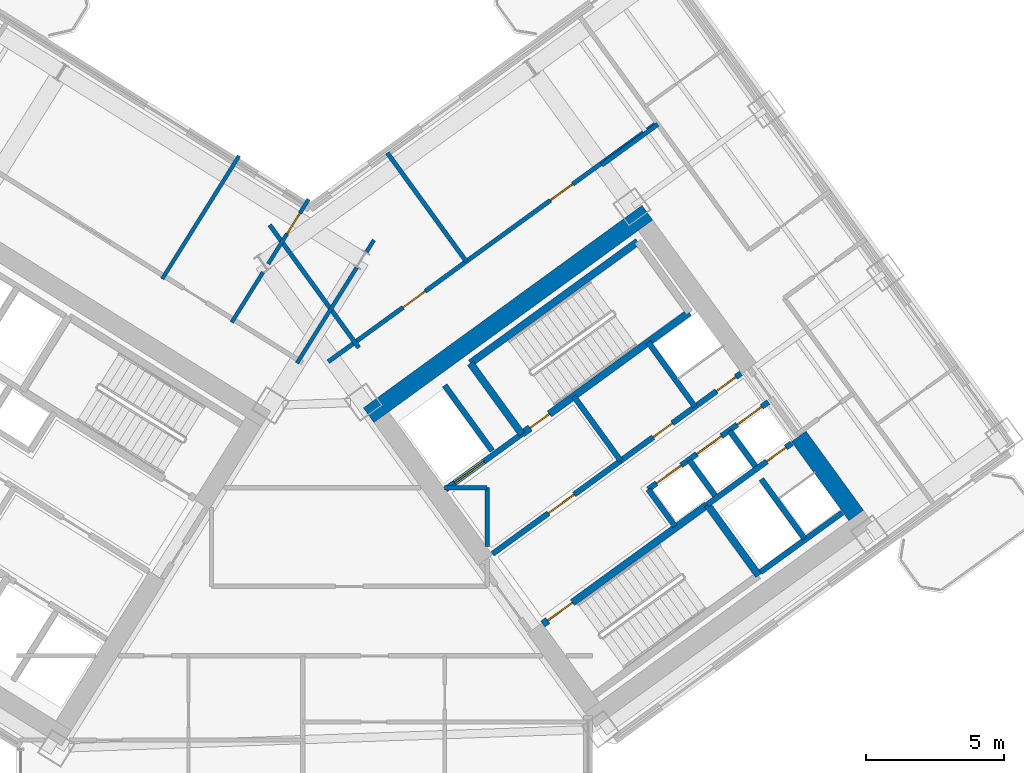
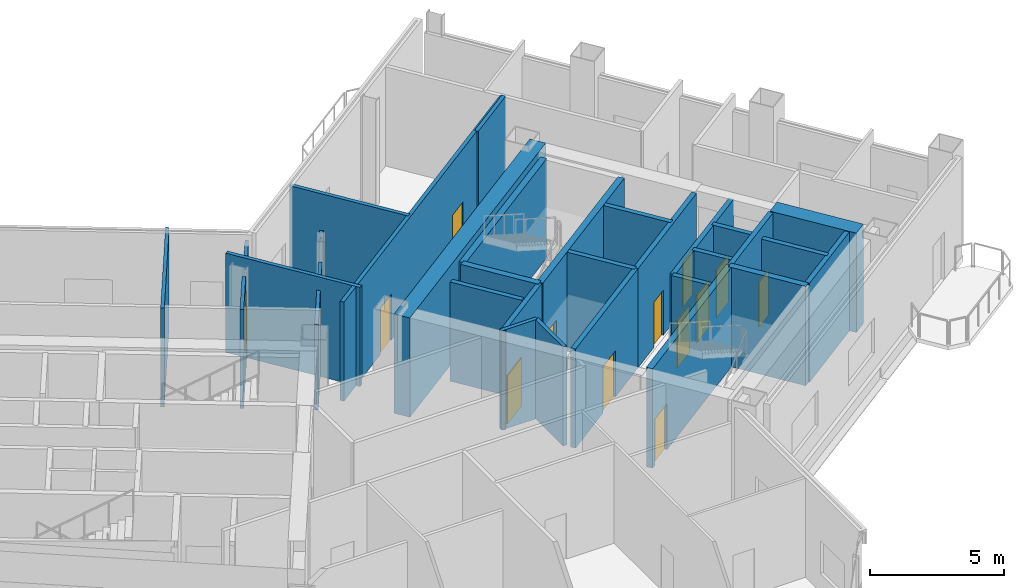
# One storey, part 15 of 22: 31 walls, 13 doors, 13 openings.
"""IFC4 building model written with IfcOpenShell, lengths in metres."""

from ifc_helpers import new_model, si_unit, direction, frame, frame_2d, origin, place, context, subcontext, project, spatial, rectangle, extrude, source, transform, mapped, material, layer, layer_set, type_object, element, fill, save


model = new_model("IFC4")

# Units and contexts
model_context = context("Model", 3, precision=1e-05, world=origin(), true_north=direction((0.0, 1.0)))
body_context = subcontext(model_context, "Body", "Model", "MODEL_VIEW")
ifc_project = project(units=[si_unit("LENGTHUNIT", "METRE"), si_unit("AREAUNIT", "SQUARE_METRE"), si_unit("VOLUMEUNIT", "CUBIC_METRE"), si_unit("PLANEANGLEUNIT", "RADIAN"), si_unit("MASSUNIT", "GRAM", prefix="KILO")], contexts=[model_context])

# Site, building, storey
site_placement = place(None, origin())
site = spatial("IfcSite", under=ifc_project, at=site_placement, CompositionType="ELEMENT")
building_placement = place(site_placement, origin())
building = spatial("IfcBuilding", under=site, at=building_placement, Name="Tlacorven Tower", CompositionType="ELEMENT")
storey_placement = place(building_placement, frame((0.0, 0.0, 71.699951171875)))
storey = spatial("IfcBuildingStorey", under=building, at=storey_placement, Name="L18", CompositionType="ELEMENT", Elevation=71.699951171875)

# Walls
ifc_material_1 = material(Name="Concrete C60/75", Category="concrete")
ifc_layer_1 = layer(ifc_material_1, 0.64990234375)
ifc_layer_set_1 = layer_set([ifc_layer_1], Name="Concrete C60/75")
wall_type_1 = type_object("IfcWallType", Name="WL-COR-650", PredefinedType="SHEAR", material=ifc_layer_set_1)
wall_1_placement = place(storey_placement, frame((44.32470703125, 24.113037109375, 0.0), z_axis=(0.0, 0.0, 1.0), x_axis=(0.809012664862, 0.58779121131, 0.0)))
element("IfcWall", 1, at=wall_1_placement, inside=storey, type_object=wall_type_1, Name="L18 E core shear wall S2", PredefinedType="SHEAR", context=body_context, shape_type="SweptSolid", body=[
    extrude(rectangle(XDim=12.439697265625, YDim=0.64990234375, at=frame_2d((6.2197265625, 0.0))), origin(), (0.0, 0.0, 1.0), 4.52001953125),
])
wall_2_placement = place(storey_placement, frame((61.9287109375, 20.494384765625, 0.0), z_axis=(0.0, 0.0, 1.0), x_axis=(-0.58782982593, 0.808984607855, 0.0)))
element("IfcWall", 2, at=wall_2_placement, inside=storey, type_object=wall_type_1, Name="L18 E core end wall E2.1", PredefinedType="SHEAR", context=body_context, shape_type="SweptSolid", body=[
    extrude(rectangle(XDim=3.52490234375, YDim=0.64990234375, at=frame_2d((1.762451171875, 0.0))), origin(), (0.0, 0.0, 1.0), 4.52001953125),
])
ifc_material_2 = material(Name="Gypsum plasterboard acoustic partition", Category="gypsum")
ifc_layer_2 = layer(ifc_material_2, 0.159912109375)
ifc_layer_set_2 = layer_set([ifc_layer_2], Name="Gypsum plasterboard acoustic partition")
wall_type_2 = type_object("IfcWallType", Name="WL-DEM-160", PredefinedType="PARTITIONING", material=ifc_layer_set_2)
wall_3_placement = place(storey_placement, frame((48.60009765625, 19.380126953125, 0.0), z_axis=(0.0, 0.0, 1.0), x_axis=(0.0, 1.0, 0.0)))
element("IfcWall", 3, at=wall_3_placement, inside=storey, type_object=wall_type_2, Name="L18 partition 82", PredefinedType="PARTITIONING", context=body_context, shape_type="SweptSolid", body=[
    extrude(rectangle(XDim=2.119873046875, YDim=0.159912109375, at=frame_2d((1.06005859375, 0.0))), origin(), (0.0, 0.0, 1.0), 4.510009765625),
])
wall_4_placement = place(storey_placement, frame((47.059814453125, 21.5, 0.0), z_axis=(0.0, 0.0, 1.0), x_axis=(1.0, 0.0, 0.0)))
element("IfcWall", 4, at=wall_4_placement, inside=storey, type_object=wall_type_2, Name="L18 partition 83", PredefinedType="PARTITIONING", context=body_context, shape_type="SweptSolid", body=[
    extrude(rectangle(XDim=1.540283203125, YDim=0.159912109375, at=frame_2d((0.77001953125, 0.0))), origin(), (0.0, 0.0, 1.0), 4.510009765625),
])
wall_5_placement = place(storey_placement, frame((52.73876953125, 33.143310546875, 0.0), z_axis=(0.0, 0.0, 1.0), x_axis=(0.809000999347, 0.58780726693, 0.0)))
element("IfcWall", 5, at=wall_5_placement, inside=storey, type_object=wall_type_2, Name="L18 partition 96", PredefinedType="PARTITIONING", context=body_context, shape_type="SweptSolid", body=[
    extrude(rectangle(XDim=2.510009765625, YDim=0.159912109375, at=frame_2d((1.2548828125, 0.0))), origin(), (0.0, 0.0, 1.0), 4.510009765625),
])

# Wall, openings, doors
wall_6_placement = place(storey_placement, frame((42.86572265625, 26.04443359375, 0.0), z_axis=(0.0, 0.0, 1.0), x_axis=(0.809020254154, 0.587780765566, 0.0)))
wall_6 = element("IfcWall", 6, at=wall_6_placement, inside=storey, type_object=wall_type_2, Name="L18 partition 104", PredefinedType="PARTITIONING", context=body_context, shape_type="SweptSolid", body=[
    extrude(rectangle(XDim=14.670166015625, YDim=0.159912109375, at=frame_2d((7.3349609375, 0.0))), origin(), (0.0, 0.0, 1.0), 4.510009765625),
])
opening_1_placement = place(wall_6_placement, frame((3.3349609375, 0.0, 0.0)))
opening_1 = element("IfcOpeningElement", 7, at=opening_1_placement, cuts=wall_6, Name="Opening D11", PredefinedType="OPENING", context=body_context, shape_type="SweptSolid", body=[
    extrude(rectangle(XDim=1.0, YDim=2.10009765625, at=frame_2d((0.5, 1.050048828125))), frame((0.0, 0.08984375, 0.0), z_axis=(0.0, -1.0, 0.0), x_axis=(1.0, 0.0, 0.0)), (0.0, 0.0, 1.0), 0.179931640625),
])
opening_2_placement = place(wall_6_placement, frame((9.9150390625, 0.0, 0.0)))
opening_2 = element("IfcOpeningElement", 8, at=opening_2_placement, cuts=wall_6, Name="Opening D11", PredefinedType="OPENING", context=body_context, shape_type="SweptSolid", body=[
    extrude(rectangle(XDim=1.0, YDim=2.10009765625, at=frame_2d((0.5, 1.050048828125))), frame((0.0, 0.08984375, 0.0), z_axis=(0.0, -1.0, 0.0), x_axis=(1.0, 0.0, 0.0)), (0.0, 0.0, 1.0), 0.179931640625),
])
ifc_material_3 = material(Name="Fire-rated steel door assembly", Category="steel")
door_type_1 = type_object("IfcDoorType", Name="DR-FLT-FD60-1000", OperationType="NOTDEFINED", PredefinedType="DOOR", material=ifc_material_3)
shared_shape_1 = source(origin(), body_context, "Body", "SweptSolid", [
    extrude(rectangle(XDim=1.0, YDim=2.10009765625, at=frame_2d((0.5, 1.050048828125))), frame((0.0, 0.02490234375, 0.0), z_axis=(0.0, -1.0, 0.0), x_axis=(1.0, 0.0, 0.0)), (0.0, 0.0, 1.0), 0.050048828125),
])
door_1_placement = place(opening_1_placement, origin())
door_1 = element("IfcDoor", 9, at=door_1_placement, inside=storey, type_object=door_type_1, Name="L18 door 064", OperationType="SINGLE_SWING_LEFT", OverallHeight=2.10009765625, OverallWidth=1.0, PredefinedType="DOOR", context=body_context, shape_type="MappedRepresentation", body=[
    mapped(shared_shape_1, transform((0.0, 0.0, 0.0), scale=1.0)),
])
fill(opening_1, door_1)
door_2_placement = place(opening_2_placement, origin())
door_2 = element("IfcDoor", 10, at=door_2_placement, inside=storey, type_object=door_type_1, Name="L18 door 065", OperationType="SINGLE_SWING_RIGHT", OverallHeight=2.10009765625, OverallWidth=1.0, PredefinedType="DOOR", context=body_context, shape_type="MappedRepresentation", body=[
    mapped(shared_shape_1, transform((0.0, 0.0, 0.0), scale=1.0)),
])
fill(opening_2, door_2)

# Walls
wall_7_placement = place(storey_placement, frame((43.969482421875, 26.549560546875, 0.0), z_axis=(0.0, 0.0, 1.0), x_axis=(-0.587776919386, 0.80902304852, 0.0)))
element("IfcWall", 11, at=wall_7_placement, inside=storey, type_object=wall_type_2, Name="L18 EC West Throat Wall", PredefinedType="PARTITIONING", context=body_context, shape_type="SweptSolid", body=[
    extrude(rectangle(XDim=5.47998046875, YDim=0.159912109375, at=frame_2d((2.739990234375, 0.0))), origin(), (0.0, 0.0, 1.0), 4.510009765625),
])
wall_8_placement = place(storey_placement, frame((47.849365234375, 29.6650390625, 0.0), z_axis=(0.0, 0.0, 1.0), x_axis=(-0.587785532001, 0.809016791155, 0.0)))
element("IfcWall", 12, at=wall_8_placement, inside=storey, type_object=wall_type_2, Name="L18 EC Demising Wall 1", PredefinedType="PARTITIONING", context=body_context, shape_type="SweptSolid", body=[
    extrude(rectangle(XDim=4.85009765625, YDim=0.159912109375, at=frame_2d((2.425048828125, 0.0))), origin(), (0.0, 0.0, 1.0), 4.510009765625),
])

# Wall, opening, door
ifc_material_4 = material(Name="Moisture-resistant gypsum plumbing wall", Category="gypsum")
ifc_layer_3 = layer(ifc_material_4, 0.139892578125)
ifc_layer_set_3 = layer_set([ifc_layer_3], Name="Moisture-resistant gypsum plumbing wall")
wall_type_3 = type_object("IfcWallType", Name="WL-PLM-140", PredefinedType="PLUMBINGWALL", material=ifc_layer_set_3)
wall_9_placement = place(storey_placement, frame((42.156005859375, 31.911865234375, 0.0), z_axis=(0.0, 0.0, 1.0), x_axis=(-0.529943141103, -0.848033175765, 0.0)))
wall_9 = element("IfcWall", 13, at=wall_9_placement, inside=storey, type_object=wall_type_3, Name="L18 partition 75", PredefinedType="PLUMBINGWALL", context=body_context, shape_type="SweptSolid", body=[
    extrude(rectangle(XDim=2.753173828125, YDim=0.139892578125, at=frame_2d((1.37646484375, 0.0))), origin(), (0.0, 0.0, 1.0), 4.005126953125),
])
opening_3_placement = place(wall_9_placement, frame((0.593017578125, 0.0, 0.0)))
opening_3 = element("IfcOpeningElement", 14, at=opening_3_placement, cuts=wall_9, Name="Opening D13", PredefinedType="OPENING", context=body_context, shape_type="SweptSolid", body=[
    extrude(rectangle(XDim=0.8798828125, YDim=2.080078125, at=frame_2d((0.43994140625, 1.0400390625))), frame((0.0, 0.080078125, 0.0), z_axis=(0.0, -1.0, 0.0), x_axis=(1.0, 0.0, 0.0)), (0.0, 0.0, 1.0), 0.159912109375),
])
ifc_material_5 = material(Name="Powder-coated aluminium and timber door", Category="wood")
door_type_2 = type_object("IfcDoorType", Name="DR-INT-WET-0880", OperationType="NOTDEFINED", PredefinedType="DOOR", material=ifc_material_5)
shared_shape_2 = source(origin(), body_context, "Body", "SweptSolid", [
    extrude(rectangle(XDim=0.8798828125, YDim=2.080078125, at=frame_2d((0.43994140625, 1.0400390625))), frame((0.0, 0.02490234375, 0.0), z_axis=(0.0, -1.0, 0.0), x_axis=(1.0, 0.0, 0.0)), (0.0, 0.0, 1.0), 0.050048828125),
])
door_3_placement = place(opening_3_placement, origin())
door_3 = element("IfcDoor", 15, at=door_3_placement, inside=storey, type_object=door_type_2, Name="L18 door 042", OperationType="SINGLE_SWING_RIGHT", OverallHeight=2.080078125, OverallWidth=0.8798828125, PredefinedType="DOOR", context=body_context, shape_type="MappedRepresentation", body=[
    mapped(shared_shape_2, transform((0.0, 0.0, 0.0), scale=1.0)),
])
fill(opening_3, door_3)

# Walls
wall_10_placement = place(storey_placement, frame((40.511962890625, 29.28076171875, 0.0), z_axis=(0.0, 0.0, 1.0), x_axis=(-0.529947607416, -0.848030384712, 0.0)))
element("IfcWall", 16, at=wall_10_placement, inside=storey, type_object=wall_type_3, Name="L18 partition 75", PredefinedType="PLUMBINGWALL", context=body_context, shape_type="SweptSolid", body=[
    extrude(rectangle(XDim=2.1376953125, YDim=0.139892578125, at=frame_2d((1.06884765625, 0.0))), origin(), (0.0, 0.0, 1.0), 4.510009765625),
])
wall_11_placement = place(storey_placement, frame((44.513671875, 30.438720703125, 0.0), z_axis=(0.0, 0.0, 1.0), x_axis=(-0.529824479439, -0.848107316905, 0.0)))
element("IfcWall", 17, at=wall_11_placement, inside=storey, type_object=wall_type_3, Name="L18 partition 76", PredefinedType="PLUMBINGWALL", context=body_context, shape_type="SweptSolid", body=[
    extrude(rectangle(XDim=0.503173828125, YDim=0.139892578125, at=frame_2d((0.25146484375, 0.0))), origin(), (0.0, 0.0, 1.0), 4.510009765625),
])
wall_12_placement = place(storey_placement, frame((43.889892578125, 29.4404296875, 0.0), z_axis=(0.0, 0.0, 1.0), x_axis=(-0.529928721319, -0.84804218664, 0.0)))
element("IfcWall", 18, at=wall_12_placement, inside=storey, type_object=wall_type_3, Name="L18 partition 76", PredefinedType="PLUMBINGWALL", context=body_context, shape_type="SweptSolid", body=[
    extrude(rectangle(XDim=4.06298828125, YDim=0.139892578125, at=frame_2d((2.031494140625, 0.0))), origin(), (0.0, 0.0, 1.0), 3.89501953125),
])
wall_13_placement = place(storey_placement, frame((39.645751953125, 33.48046875, 0.0), z_axis=(0.0, 0.0, 1.0), x_axis=(-0.529923555071, -0.848045414928, 0.0)))
element("IfcWall", 19, at=wall_13_placement, inside=storey, type_object=wall_type_3, Name="L18 partition 77", PredefinedType="PLUMBINGWALL", context=body_context, shape_type="SweptSolid", body=[
    extrude(rectangle(XDim=5.239990234375, YDim=0.139892578125, at=frame_2d((2.6201171875, 0.0))), origin(), (0.0, 0.0, 1.0), 4.510009765625),
])

# Wall, opening, door
ifc_material_6 = material(Name="Concrete C40/50", Category="concrete")
ifc_layer_4 = layer(ifc_material_6, 0.199951171875)
ifc_layer_set_4 = layer_set([ifc_layer_4], Name="Concrete C40/50")
wall_type_4 = type_object("IfcWallType", Name="WL-SHF-200", PredefinedType="STANDARD", material=ifc_layer_set_4)
wall_14_placement = place(storey_placement, frame((47.10595703125, 21.4365234375, 0.0), z_axis=(0.0, 0.0, 1.0), x_axis=(0.809012514015, 0.58779141893, 0.0)))
wall_14 = element("IfcWall", 20, at=wall_14_placement, inside=storey, type_object=wall_type_4, Name="L18 Core E Firefighting Lift Shaft Front Wall", PredefinedType="STANDARD", context=body_context, shape_type="SweptSolid", body=[
    extrude(rectangle(XDim=3.39794921875, YDim=0.199951171875, at=frame_2d((1.698974609375, 0.0))), origin(), (0.0, 0.0, 1.0), 4.510009765625),
])
opening_4_placement = place(wall_14_placement, frame((0.407958984375, 0.0, 0.0)))
opening_4 = element("IfcOpeningElement", 21, at=opening_4_placement, cuts=wall_14, Name="Opening LD03", PredefinedType="OPENING", context=body_context, shape_type="SweptSolid", body=[
    extrude(rectangle(XDim=1.300048828125, YDim=2.199951171875, at=frame_2d((0.64990234375, 1.10009765625))), frame((0.0, 0.10986328125, 0.0), z_axis=(0.0, -1.0, 0.0), x_axis=(1.0, 0.0, 0.0)), (0.0, 0.0, 1.0), 0.219970703125),
])
door_type_3 = type_object("IfcDoorType", Name="DR-LFT-SLID-1300", OperationType="DOUBLE_DOOR_SLIDING", PredefinedType="DOOR", material=ifc_material_3)
shared_shape_3 = source(origin(), body_context, "Body", "SweptSolid", [
    extrude(rectangle(XDim=1.300048828125, YDim=2.199951171875, at=frame_2d((0.64990234375, 1.10009765625))), frame((0.0, 0.02490234375, 0.0), z_axis=(0.0, -1.0, 0.0), x_axis=(1.0, 0.0, 0.0)), (0.0, 0.0, 1.0), 0.050048828125),
])
door_4_placement = place(opening_4_placement, origin())
door_4 = element("IfcDoor", 22, at=door_4_placement, inside=storey, type_object=door_type_3, Name="L18 Lift FFL-E1 Sliding Landing Door", OperationType="DOUBLE_DOOR_SLIDING", OverallHeight=2.199951171875, OverallWidth=1.300048828125, PredefinedType="DOOR", context=body_context, shape_type="MappedRepresentation", body=[
    mapped(shared_shape_3, transform((0.0, 0.0, 0.0), scale=1.0)),
])
fill(opening_4, door_4)

wall_15_placement = place(storey_placement, frame((48.798828125, 19.106689453125, 0.0), z_axis=(0.0, 0.0, 1.0), x_axis=(0.809012959416, 0.587790805897, 0.0)))
wall_15 = element("IfcWall", 23, at=wall_15_placement, inside=storey, type_object=wall_type_4, Name="L18 Core E Smoke Lobby Wall", PredefinedType="STANDARD", context=body_context, shape_type="SweptSolid", body=[
    extrude(rectangle(XDim=5.7177734375, YDim=0.199951171875, at=frame_2d((2.85888671875, 0.0))), origin(), (0.0, 0.0, 1.0), 4.510009765625),
])
opening_5_placement = place(wall_15_placement, frame((2.498046875, 0.0, 0.0)))
opening_5 = element("IfcOpeningElement", 24, at=opening_5_placement, cuts=wall_15, Name="Opening D09", PredefinedType="OPENING", context=body_context, shape_type="SweptSolid", body=[
    extrude(rectangle(XDim=1.14990234375, YDim=2.10009765625, at=frame_2d((0.574951171875, 1.050048828125))), frame((0.0, 0.10986328125, 0.0), z_axis=(0.0, -1.0, 0.0), x_axis=(1.0, 0.0, 0.0)), (0.0, 0.0, 1.0), 0.219970703125),
])
door_type_4 = type_object("IfcDoorType", Name="DR-FFL-FD60-1150", OperationType="NOTDEFINED", PredefinedType="DOOR", material=ifc_material_3)
shared_shape_4 = source(origin(), body_context, "Body", "SweptSolid", [
    extrude(rectangle(XDim=1.14990234375, YDim=2.10009765625, at=frame_2d((0.574951171875, 1.050048828125))), frame((0.0, 0.02490234375, 0.0), z_axis=(0.0, -1.0, 0.0), x_axis=(1.0, 0.0, 0.0)), (0.0, 0.0, 1.0), 0.050048828125),
])
door_5_placement = place(opening_5_placement, origin())
door_5 = element("IfcDoor", 25, at=door_5_placement, inside=storey, type_object=door_type_4, Name="L18 Firefighting Lobby E Fire Door", OperationType="SINGLE_SWING_RIGHT", OverallHeight=2.10009765625, OverallWidth=1.14990234375, PredefinedType="DOOR", context=body_context, shape_type="MappedRepresentation", body=[
    mapped(shared_shape_4, transform((0.0, 0.0, 0.0), scale=1.0)),
])
fill(opening_5, door_5)

wall_16_placement = place(storey_placement, frame((56.552978515625, 20.884033203125, 0.0), z_axis=(0.0, 0.0, 1.0), x_axis=(0.809035789462, 0.587759382205, 0.0)))
wall_16 = element("IfcWall", 26, at=wall_16_placement, inside=storey, type_object=wall_type_4, Name="L18 Core E South Lift Shaft Wall", PredefinedType="STANDARD", context=body_context, shape_type="SweptSolid", body=[
    extrude(rectangle(XDim=3.767822265625, YDim=0.199951171875, at=frame_2d((1.8837890625, 0.0))), origin(), (0.0, 0.0, 1.0), 4.510009765625),
])
opening_6_placement = place(wall_16_placement, frame((2.64990234375, 0.0, 0.0)))
opening_6 = element("IfcOpeningElement", 27, at=opening_6_placement, cuts=wall_16, Name="Opening D19", PredefinedType="OPENING", context=body_context, shape_type="SweptSolid", body=[
    extrude(rectangle(XDim=0.860107421875, YDim=2.050048828125, at=frame_2d((0.43017578125, 1.02490234375))), frame((0.0, 0.10986328125, 0.0), z_axis=(0.0, -1.0, 0.0), x_axis=(1.0, 0.0, 0.0)), (0.0, 0.0, 1.0), 0.219970703125),
])
door_type_5 = type_object("IfcDoorType", Name="DR-RSR-FD60-0860", OperationType="NOTDEFINED", PredefinedType="DOOR", material=ifc_material_3)
shared_shape_5 = source(origin(), body_context, "Body", "SweptSolid", [
    extrude(rectangle(XDim=0.860107421875, YDim=2.050048828125, at=frame_2d((0.43017578125, 1.02490234375))), frame((0.0, 0.02490234375, 0.0), z_axis=(0.0, -1.0, 0.0), x_axis=(1.0, 0.0, 0.0)), (0.0, 0.0, 1.0), 0.050048828125),
])
door_6_placement = place(opening_6_placement, origin())
door_6 = element("IfcDoor", 28, at=door_6_placement, inside=storey, type_object=door_type_5, Name="L18 Smoke Extract Riser Access Door", OperationType="SINGLE_SWING_LEFT", OverallHeight=2.050048828125, OverallWidth=0.860107421875, PredefinedType="DOOR", context=body_context, shape_type="MappedRepresentation", body=[
    mapped(shared_shape_5, transform((0.0, 0.0, 0.0), scale=1.0)),
])
fill(opening_6, door_6)

# Wall, openings, doors
wall_17_placement = place(storey_placement, frame((54.421142578125, 21.436279296875, 0.0), z_axis=(0.0, 0.0, 1.0), x_axis=(0.809013710463, 0.587789772183, 0.0)))
wall_17 = element("IfcWall", 29, at=wall_17_placement, inside=storey, type_object=wall_type_4, Name="L18 partition 36", PredefinedType="STANDARD", context=body_context, shape_type="SweptSolid", body=[
    extrude(rectangle(XDim=5.360107421875, YDim=0.199951171875, at=frame_2d((2.68017578125, 0.0))), origin(), (0.0, 0.0, 1.0), 4.510009765625),
])
opening_7_placement = place(wall_17_placement, frame((0.3701171875, 0.0, 0.0)))
opening_7 = element("IfcOpeningElement", 30, at=opening_7_placement, cuts=wall_17, Name="Opening LD01", PredefinedType="OPENING", context=body_context, shape_type="SweptSolid", body=[
    extrude(rectangle(XDim=1.10009765625, YDim=2.14990234375, at=frame_2d((0.550048828125, 1.074951171875))), frame((0.0, 0.10986328125, 0.0), z_axis=(0.0, -1.0, 0.0), x_axis=(1.0, 0.0, 0.0)), (0.0, 0.0, 1.0), 0.219970703125),
])
opening_8_placement = place(wall_17_placement, frame((2.169921875, 0.0, 0.0)))
opening_8 = element("IfcOpeningElement", 31, at=opening_8_placement, cuts=wall_17, Name="Opening LD01", PredefinedType="OPENING", context=body_context, shape_type="SweptSolid", body=[
    extrude(rectangle(XDim=1.10009765625, YDim=2.14990234375, at=frame_2d((0.550048828125, 1.074951171875))), frame((0.0, 0.10986328125, 0.0), z_axis=(0.0, -1.0, 0.0), x_axis=(1.0, 0.0, 0.0)), (0.0, 0.0, 1.0), 0.219970703125),
])
opening_9_placement = place(wall_17_placement, frame((3.969970703125, 0.0, 0.0)))
opening_9 = element("IfcOpeningElement", 32, at=opening_9_placement, cuts=wall_17, Name="Opening LD01", PredefinedType="OPENING", context=body_context, shape_type="SweptSolid", body=[
    extrude(rectangle(XDim=1.10009765625, YDim=2.14990234375, at=frame_2d((0.550048828125, 1.074951171875))), frame((0.0, 0.10986328125, 0.0), z_axis=(0.0, -1.0, 0.0), x_axis=(1.0, 0.0, 0.0)), (0.0, 0.0, 1.0), 0.219970703125),
])
door_type_6 = type_object("IfcDoorType", Name="DR-LFT-SLID-1100", OperationType="DOUBLE_DOOR_SLIDING", PredefinedType="DOOR", material=ifc_material_3)
shared_shape_6 = source(origin(), body_context, "Body", "SweptSolid", [
    extrude(rectangle(XDim=1.10009765625, YDim=2.14990234375, at=frame_2d((0.550048828125, 1.074951171875))), frame((0.0, 0.02490234375, 0.0), z_axis=(0.0, -1.0, 0.0), x_axis=(1.0, 0.0, 0.0)), (0.0, 0.0, 1.0), 0.050048828125),
])
door_7_placement = place(opening_7_placement, origin())
door_7 = element("IfcDoor", 33, at=door_7_placement, inside=storey, type_object=door_type_6, Name="L18 Lift PL-L1 Sliding Landing Door", OperationType="DOUBLE_DOOR_SLIDING", OverallHeight=2.14990234375, OverallWidth=1.10009765625, PredefinedType="DOOR", context=body_context, shape_type="MappedRepresentation", body=[
    mapped(shared_shape_6, transform((0.0, 0.0, 0.0), scale=1.0)),
])
fill(opening_7, door_7)
door_8_placement = place(opening_8_placement, origin())
door_8 = element("IfcDoor", 34, at=door_8_placement, inside=storey, type_object=door_type_6, Name="L18 Lift PL-L2 Sliding Landing Door", OperationType="DOUBLE_DOOR_SLIDING", OverallHeight=2.14990234375, OverallWidth=1.10009765625, PredefinedType="DOOR", context=body_context, shape_type="MappedRepresentation", body=[
    mapped(shared_shape_6, transform((0.0, 0.0, 0.0), scale=1.0)),
])
fill(opening_8, door_8)
door_9_placement = place(opening_9_placement, origin())
door_9 = element("IfcDoor", 35, at=door_9_placement, inside=storey, type_object=door_type_6, Name="L18 Lift PL-L3 Sliding Landing Door", OperationType="DOUBLE_DOOR_SLIDING", OverallHeight=2.14990234375, OverallWidth=1.10009765625, PredefinedType="DOOR", context=body_context, shape_type="MappedRepresentation", body=[
    mapped(shared_shape_6, transform((0.0, 0.0, 0.0), scale=1.0)),
])
fill(opening_9, door_9)

# Walls
wall_18_placement = place(storey_placement, frame((55.390869140625, 20.1015625, 0.0), z_axis=(0.0, 0.0, 1.0), x_axis=(-0.58778447739, 0.809017557374, 0.0)))
element("IfcWall", 36, at=wall_18_placement, inside=storey, type_object=wall_type_4, Name="L18 partition 37", PredefinedType="STANDARD", context=body_context, shape_type="SweptSolid", body=[
    extrude(rectangle(XDim=1.64990234375, YDim=0.199951171875, at=frame_2d((0.824951171875, 0.0))), origin(), (0.0, 0.0, 1.0), 4.510009765625),
])
wall_19_placement = place(storey_placement, frame((48.78564453125, 22.830078125, 0.0), z_axis=(0.0, 0.0, 1.0), x_axis=(-0.587783856777, 0.809018008275, 0.0)))
element("IfcWall", 37, at=wall_19_placement, inside=storey, type_object=wall_type_4, Name="L18 partition 38", PredefinedType="STANDARD", context=body_context, shape_type="SweptSolid", body=[
    extrude(rectangle(XDim=2.919921875, YDim=0.199951171875, at=frame_2d((1.4599609375, 0.0))), origin(), (0.0, 0.0, 1.0), 4.510009765625),
])
wall_20_placement = place(storey_placement, frame((56.833984375, 21.211669921875, 0.0), z_axis=(0.0, 0.0, 1.0), x_axis=(-0.58776738483, 0.809029975545, 0.0)))
element("IfcWall", 38, at=wall_20_placement, inside=storey, type_object=wall_type_4, Name="L18 partition 39", PredefinedType="STANDARD", context=body_context, shape_type="SweptSolid", body=[
    extrude(rectangle(XDim=1.580078125, YDim=0.199951171875, at=frame_2d((0.7900390625, 0.0))), origin(), (0.0, 0.0, 1.0), 4.510009765625),
])
wall_21_placement = place(storey_placement, frame((58.290283203125, 22.269775390625, 0.0), z_axis=(0.0, 0.0, 1.0), x_axis=(-0.587840865826, 0.808976585857, 0.0)))
element("IfcWall", 39, at=wall_21_placement, inside=storey, type_object=wall_type_4, Name="L18 partition 40", PredefinedType="STANDARD", context=body_context, shape_type="SweptSolid", body=[
    extrude(rectangle(XDim=1.579833984375, YDim=0.199951171875, at=frame_2d((0.7900390625, 0.0))), origin(), (0.0, 0.0, 1.0), 4.510009765625),
])
wall_22_placement = place(storey_placement, frame((60.066650390625, 19.654541015625, 0.0), z_axis=(0.0, 0.0, 1.0), x_axis=(-0.587800520745, 0.809005900975, 0.0)))
element("IfcWall", 40, at=wall_22_placement, inside=storey, type_object=wall_type_4, Name="L18 partition 41", PredefinedType="STANDARD", context=body_context, shape_type="SweptSolid", body=[
    extrude(rectangle(XDim=2.659912109375, YDim=0.199951171875, at=frame_2d((1.330078125, 0.0))), origin(), (0.0, 0.0, 1.0), 4.510009765625),
])
wall_23_placement = place(storey_placement, frame((58.47216796875, 18.446533203125, 0.0), z_axis=(0.0, 0.0, 1.0), x_axis=(0.809022487728, 0.587777691266, 0.0)))
element("IfcWall", 41, at=wall_23_placement, inside=storey, type_object=wall_type_4, Name="L18 partition 43", PredefinedType="STANDARD", context=body_context, shape_type="SweptSolid", body=[
    extrude(rectangle(XDim=3.648193359375, YDim=0.199951171875, at=frame_2d((1.82421875, 0.0))), origin(), (0.0, 0.0, 1.0), 4.510009765625),
])
wall_24_placement = place(storey_placement, frame((53.424560546875, 22.467529296875, 0.0), z_axis=(0.0, 0.0, 1.0), x_axis=(-0.5877230039, 0.809062216821, 0.0)))
element("IfcWall", 42, at=wall_24_placement, inside=storey, type_object=wall_type_4, Name="L18 partition 45", PredefinedType="STANDARD", context=body_context, shape_type="SweptSolid", body=[
    extrude(rectangle(XDim=2.8798828125, YDim=0.199951171875, at=frame_2d((1.43994140625, 0.0))), origin(), (0.0, 0.0, 1.0), 4.510009765625),
])
wall_25_placement = place(storey_placement, frame((56.110595703125, 24.4189453125, 0.0), z_axis=(0.0, 0.0, 1.0), x_axis=(-0.58777848983, 0.809021907548, 0.0)))
element("IfcWall", 43, at=wall_25_placement, inside=storey, type_object=wall_type_4, Name="L18 partition 46", PredefinedType="STANDARD", context=body_context, shape_type="SweptSolid", body=[
    extrude(rectangle(XDim=2.880126953125, YDim=0.199951171875, at=frame_2d((1.43994140625, 0.0))), origin(), (0.0, 0.0, 1.0), 4.510009765625),
])

# Wall, openings, doors
wall_26_placement = place(storey_placement, frame((53.424560546875, 22.467529296875, 0.0), z_axis=(0.0, 0.0, 1.0), x_axis=(0.80902705128, 0.587771409902, 0.0)))
wall_26 = element("IfcWall", 44, at=wall_26_placement, inside=storey, type_object=wall_type_4, Name="L18 Core E North Service Wall", PredefinedType="STANDARD", context=body_context, shape_type="SweptSolid", body=[
    extrude(rectangle(XDim=5.3681640625, YDim=0.199951171875, at=frame_2d((2.68408203125, 0.0))), origin(), (0.0, 0.0, 1.0), 4.510009765625),
])
opening_10_placement = place(wall_26_placement, frame((4.280029296875, 0.0, 0.0)))
opening_10 = element("IfcOpeningElement", 45, at=opening_10_placement, cuts=wall_26, Name="Opening D19", PredefinedType="OPENING", context=body_context, shape_type="SweptSolid", body=[
    extrude(rectangle(XDim=0.860107421875, YDim=2.050048828125, at=frame_2d((0.43017578125, 1.02490234375))), frame((0.0, 0.10986328125, 0.0), z_axis=(0.0, -1.0, 0.0), x_axis=(1.0, 0.0, 0.0)), (0.0, 0.0, 1.0), 0.219970703125),
])
opening_11_placement = place(wall_26_placement, frame((1.449951171875, 0.0, 0.0)))
opening_11 = element("IfcOpeningElement", 46, at=opening_11_placement, cuts=wall_26, Name="Opening D19", PredefinedType="OPENING", context=body_context, shape_type="SweptSolid", body=[
    extrude(rectangle(XDim=0.860107421875, YDim=2.050048828125, at=frame_2d((0.43017578125, 1.02490234375))), frame((0.0, 0.10986328125, 0.0), z_axis=(0.0, -1.0, 0.0), x_axis=(1.0, 0.0, 0.0)), (0.0, 0.0, 1.0), 0.219970703125),
])
door_10_placement = place(opening_10_placement, frame((0.860107421875, 0.0, 0.0), z_axis=(0.0, 0.0, 1.0), x_axis=(-1.0, 0.0, 0.0)))
door_10 = element("IfcDoor", 47, at=door_10_placement, inside=storey, type_object=door_type_5, Name="L18 Electrical Riser Access Door E", OperationType="SINGLE_SWING_RIGHT", OverallHeight=2.050048828125, OverallWidth=0.860107421875, PredefinedType="DOOR", context=body_context, shape_type="MappedRepresentation", body=[
    mapped(shared_shape_5, transform((0.0, 0.0, 0.0), scale=1.0)),
])
fill(opening_10, door_10)
door_11_placement = place(opening_11_placement, frame((0.860107421875, 0.0, 0.0), z_axis=(0.0, 0.0, 1.0), x_axis=(-1.0, 0.0, 0.0)))
door_11 = element("IfcDoor", 48, at=door_11_placement, inside=storey, type_object=door_type_5, Name="L18 Housekeeping Linen Access Door E", OperationType="SINGLE_SWING_LEFT", OverallHeight=2.050048828125, OverallWidth=0.860107421875, PredefinedType="DOOR", context=body_context, shape_type="MappedRepresentation", body=[
    mapped(shared_shape_5, transform((0.0, 0.0, 0.0), scale=1.0)),
])
fill(opening_11, door_11)

# Wall
ifc_material_7 = material(Name="Concrete C50/60", Category="concrete")
ifc_layer_5 = layer(ifc_material_7, 0.260009765625)
ifc_layer_set_5 = layer_set([ifc_layer_5], Name="Concrete C50/60")
wall_type_5 = type_object("IfcWallType", Name="WL-STW-260", PredefinedType="SHEAR", material=ifc_layer_set_5)
wall_27_placement = place(storey_placement, frame((48.005615234375, 25.996337890625, 0.0), z_axis=(0.0, 0.0, 1.0), x_axis=(0.80901903764, 0.587782439969, 0.0)))
element("IfcWall", 49, at=wall_27_placement, inside=storey, type_object=wall_type_5, Name="L18 Stair E1 Far Shear Wall", PredefinedType="SHEAR", context=body_context, shape_type="SweptSolid", body=[
    extrude(rectangle(XDim=7.4599609375, YDim=0.260009765625, at=frame_2d((3.72998046875, 0.0))), origin(), (0.0, 0.0, 1.0), 4.52001953125),
])

# Wall, opening, door
wall_28_placement = place(storey_placement, frame((49.863037109375, 23.439697265625, 0.0), z_axis=(0.0, 0.0, 1.0), x_axis=(0.809003474932, 0.587803859759, 0.0)))
wall_28 = element("IfcWall", 50, at=wall_28_placement, inside=storey, type_object=wall_type_5, Name="L18 Stair E1 Lobby Shear Wall", PredefinedType="SHEAR", context=body_context, shape_type="SweptSolid", body=[
    extrude(rectangle(XDim=7.4599609375, YDim=0.260009765625, at=frame_2d((3.72998046875, 0.0))), origin(), (0.0, 0.0, 1.0), 4.52001953125),
])
opening_12_placement = place(wall_28_placement, frame((0.360107421875, 0.0, 0.0)))
opening_12 = element("IfcOpeningElement", 51, at=opening_12_placement, cuts=wall_28, Name="Opening D19", PredefinedType="OPENING", context=body_context, shape_type="SweptSolid", body=[
    extrude(rectangle(XDim=0.860107421875, YDim=2.050048828125, at=frame_2d((0.43017578125, 1.02490234375))), frame((0.0, 0.14013671875, 0.0), z_axis=(0.0, -1.0, 0.0), x_axis=(1.0, 0.0, 0.0)), (0.0, 0.0, 1.0), 0.280029296875),
])
door_12_placement = place(opening_12_placement, frame((0.860107421875, 0.0, 0.0), z_axis=(0.0, 0.0, 1.0), x_axis=(-1.0, 0.0, 0.0)))
door_12 = element("IfcDoor", 52, at=door_12_placement, inside=storey, type_object=door_type_5, Name="L18 Exit Stair E1 Fire Door", OperationType="SINGLE_SWING_LEFT", OverallHeight=2.050048828125, OverallWidth=0.860107421875, PredefinedType="DOOR", context=body_context, shape_type="MappedRepresentation", body=[
    mapped(shared_shape_5, transform((0.0, 0.0, 0.0), scale=1.0)),
])
fill(opening_12, door_12)

# Wall
wall_29_placement = place(storey_placement, frame((49.85498046875, 23.433837890625, 0.0), z_axis=(0.0, 0.0, 1.0), x_axis=(-0.58776738483, 0.809029975545, 0.0)))
element("IfcWall", 53, at=wall_29_placement, inside=storey, type_object=wall_type_5, Name="L18 Stair E1 West Shear Wall", PredefinedType="SHEAR", context=body_context, shape_type="SweptSolid", body=[
    extrude(rectangle(XDim=3.16015625, YDim=0.260009765625, at=frame_2d((1.580078125, 0.0))), origin(), (0.0, 0.0, 1.0), 4.52001953125),
])

# Wall, opening, door
wall_30_placement = place(storey_placement, frame((50.61474609375, 16.569580078125, 0.0), z_axis=(0.0, 0.0, 1.0), x_axis=(0.809028366311, 0.587769599847, 0.0)))
wall_30 = element("IfcWall", 54, at=wall_30_placement, inside=storey, type_object=wall_type_5, Name="L18 Stair E2 Lobby Shear Wall", PredefinedType="SHEAR", context=body_context, shape_type="SweptSolid", body=[
    extrude(rectangle(XDim=7.330078125, YDim=0.260009765625, at=frame_2d((3.6650390625, 0.0))), origin(), (0.0, 0.0, 1.0), 4.52001953125),
])
opening_13_placement = place(wall_30_placement, frame((0.219970703125, 0.0, 0.0)))
opening_13 = element("IfcOpeningElement", 55, at=opening_13_placement, cuts=wall_30, Name="Opening D07", PredefinedType="OPENING", context=body_context, shape_type="SweptSolid", body=[
    extrude(rectangle(XDim=1.10009765625, YDim=2.10009765625, at=frame_2d((0.550048828125, 1.050048828125))), frame((0.0, 0.14013671875, 0.0), z_axis=(0.0, -1.0, 0.0), x_axis=(1.0, 0.0, 0.0)), (0.0, 0.0, 1.0), 0.280029296875),
])
door_type_7 = type_object("IfcDoorType", Name="DR-STR-FD90-1100", OperationType="NOTDEFINED", PredefinedType="DOOR", material=ifc_material_3)
shared_shape_7 = source(origin(), body_context, "Body", "SweptSolid", [
    extrude(rectangle(XDim=1.10009765625, YDim=2.10009765625, at=frame_2d((0.550048828125, 1.050048828125))), frame((0.0, 0.02490234375, 0.0), z_axis=(0.0, -1.0, 0.0), x_axis=(1.0, 0.0, 0.0)), (0.0, 0.0, 1.0), 0.050048828125),
])
door_13_placement = place(opening_13_placement, origin())
door_13 = element("IfcDoor", 56, at=door_13_placement, inside=storey, type_object=door_type_7, Name="L18 Exit Stair E2 Fire Door", OperationType="SINGLE_SWING_LEFT", OverallHeight=2.10009765625, OverallWidth=1.10009765625, PredefinedType="DOOR", context=body_context, shape_type="MappedRepresentation", body=[
    mapped(shared_shape_7, transform((0.0, 0.0, 0.0), scale=1.0)),
])
fill(opening_13, door_13)

# Wall
wall_31_placement = place(storey_placement, frame((58.410400390625, 18.327392578125, 0.0), z_axis=(0.0, 0.0, 1.0), x_axis=(-0.58776738483, 0.809029975545, 0.0)))
element("IfcWall", 57, at=wall_31_placement, inside=storey, type_object=wall_type_5, Name="L18 Stair E2 East Shear Wall", PredefinedType="SHEAR", context=body_context, shape_type="SweptSolid", body=[
    extrude(rectangle(XDim=3.16015625, YDim=0.260009765625, at=frame_2d((1.580078125, 0.0))), origin(), (0.0, 0.0, 1.0), 4.52001953125),
])

save(model, "model.ifc")
